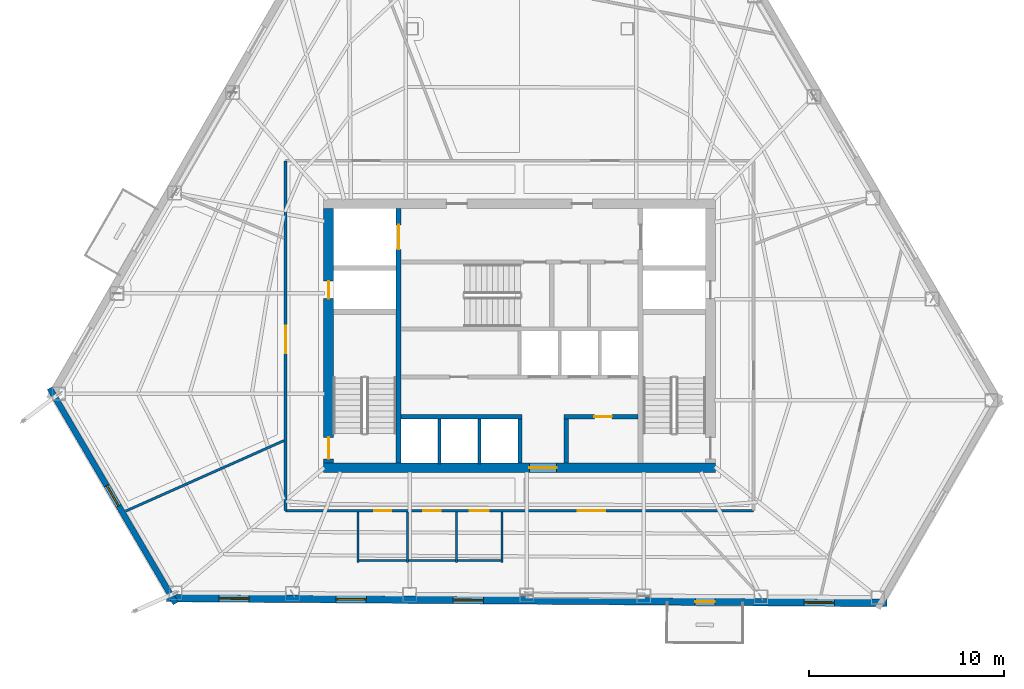
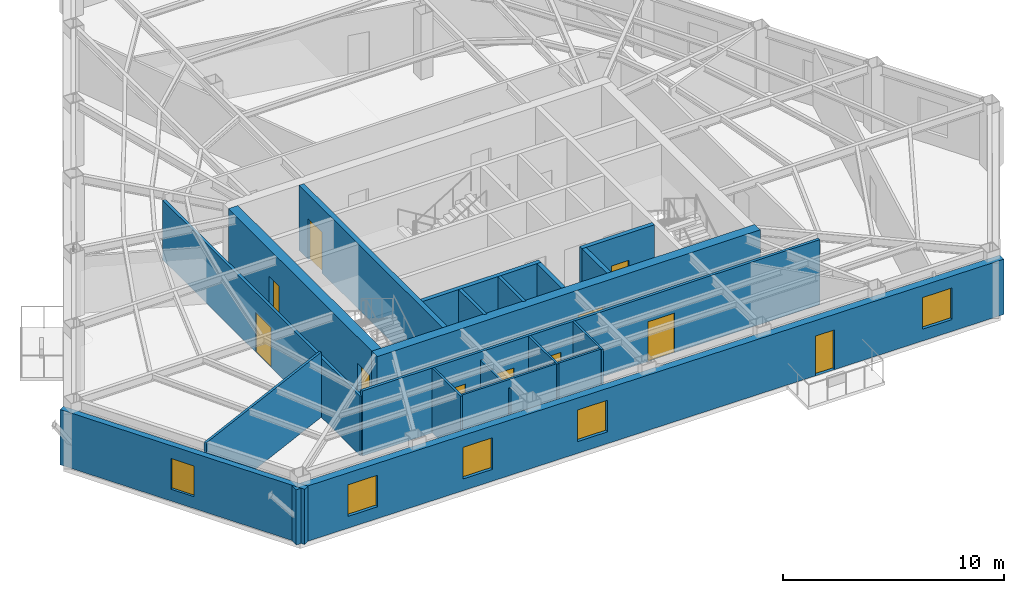
# One storey, part 8 of 12: 19 walls, 11 doors, 5 windows, 16 openings.
"""IFC4 building model written with IfcOpenShell, lengths in metres."""

from ifc_helpers import new_model, si_unit, direction, frame, frame_2d, origin, place, context, subcontext, project, spatial, rectangle, extrude, material, layer, layer_set, type_object, element, fill, save


model = new_model("IFC4")

# Units and contexts
model_context = context("Model", 3, precision=1e-05, world=origin(), true_north=direction((0.0, 1.0)))
body_context = subcontext(model_context, "Body", "Model", "MODEL_VIEW")
ifc_project = project(units=[si_unit("LENGTHUNIT", "METRE"), si_unit("AREAUNIT", "SQUARE_METRE"), si_unit("VOLUMEUNIT", "CUBIC_METRE"), si_unit("PLANEANGLEUNIT", "RADIAN"), si_unit("MASSUNIT", "GRAM", prefix="KILO")], contexts=[model_context])

# Site, building, storey
site_placement = place(None, origin())
site = spatial("IfcSite", under=ifc_project, at=site_placement, CompositionType="ELEMENT")
building_placement = place(site_placement, origin())
building = spatial("IfcBuilding", under=site, at=building_placement, Name="Kavelnor Concourse Tower", CompositionType="ELEMENT")
storey_placement = place(building_placement, frame((0.0, 0.0, 120.14990234375)))
storey = spatial("IfcBuildingStorey", under=building, at=storey_placement, Name="L30", CompositionType="ELEMENT", Elevation=120.14990234375)

# Wall, opening, door
ifc_material_1 = material(Name="Concrete C60/75", Category="concrete")
ifc_layer_1 = layer(ifc_material_1, 0.5, Name="Concrete C60/75")
ifc_layer_set_1 = layer_set([ifc_layer_1], Name="Concrete C60/75")
wall_type_1 = type_object("IfcWallType", Name="WL-CORE-Z2-500", PredefinedType="SOLIDWALL", material=ifc_layer_set_1)
wall_1_placement = place(storey_placement, frame((27.97998046875, 9.35009765625, 0.0), z_axis=(0.0, 0.0, 1.0), x_axis=(1.0, 0.0, 0.0)))
wall_1 = element("IfcWall", 1, at=wall_1_placement, inside=storey, type_object=wall_type_1, Name="L30 Central Core South Shear Wall", PredefinedType="SOLIDWALL", context=body_context, shape_type="SweptSolid", body=[
    extrude(rectangle(XDim=20.0400390625, YDim=0.5, at=frame_2d((10.02001953125, 0.0))), origin(), (0.0, 0.0, 1.0), 3.60009765625),
])
opening_1_placement = place(wall_1_placement, frame((10.52001953125, 0.0, 0.0)))
opening_1 = element("IfcOpeningElement", 2, at=opening_1_placement, cuts=wall_1, Name="Opening SD-140", PredefinedType="OPENING", context=body_context, shape_type="SweptSolid", body=[
    extrude(rectangle(XDim=1.39990234375, YDim=2.199951171875, at=frame_2d((0.699951171875, 1.10009765625))), frame((0.0, 0.260009765625, 0.0), z_axis=(0.0, -1.0, 0.0), x_axis=(1.0, 0.0, 0.0)), (0.0, 0.0, 1.0), 0.52001953125),
])
ifc_material_2 = material(Name="Solid-core hardwood timber", Category="wood")
door_type_1 = type_object("IfcDoorType", Name="DR-SUITE-ENTRY-1400", OperationType="NOTDEFINED", PredefinedType="DOOR", material=ifc_material_2)
door_1_placement = place(opening_1_placement, origin())
door_1 = element("IfcDoor", 3, at=door_1_placement, inside=storey, type_object=door_type_1, Name="L30 Passenger Lift Lobby Entry Door", OperationType="SINGLE_SWING_LEFT", OverallHeight=2.199951171875, OverallWidth=1.39990234375, PredefinedType="DOOR", context=body_context, shape_type="SweptSolid", body=[
    extrude(rectangle(XDim=1.39990234375, YDim=2.199951171875, at=frame_2d((0.699951171875, 1.10009765625))), frame((0.0, 0.02490234375, 0.0), z_axis=(0.0, -1.0, 0.0), x_axis=(1.0, 0.0, 0.0)), (0.0, 0.0, 1.0), 0.050048828125),
])
fill(opening_1, door_1)

# Wall, openings, doors
wall_2_placement = place(storey_placement, frame((28.22998046875, 9.60009765625, 0.0), z_axis=(0.0, 0.0, 1.0), x_axis=(0.0, 1.0, 0.0)))
wall_2 = element("IfcWall", 4, at=wall_2_placement, inside=storey, type_object=wall_type_1, Name="L30 Central Core West Shear Wall", PredefinedType="SOLIDWALL", context=body_context, shape_type="SweptSolid", body=[
    extrude(rectangle(XDim=13.0, YDim=0.5, at=frame_2d((6.5, 0.0))), origin(), (0.0, 0.0, 1.0), 3.60009765625),
])
opening_2_placement = place(wall_2_placement, frame((0.199951171875, 0.0, 0.0)))
opening_2 = element("IfcOpeningElement", 5, at=opening_2_placement, cuts=wall_2, Name="Opening FD-110", PredefinedType="OPENING", context=body_context, shape_type="SweptSolid", body=[
    extrude(rectangle(XDim=1.10009765625, YDim=2.14990234375, at=frame_2d((0.550048828125, 1.074951171875))), frame((0.0, 0.260009765625, 0.0), z_axis=(0.0, -1.0, 0.0), x_axis=(1.0, 0.0, 0.0)), (0.0, 0.0, 1.0), 0.52001953125),
])
opening_3_placement = place(wall_2_placement, frame((8.39990234375, 0.0, 0.0)))
opening_3 = element("IfcOpeningElement", 6, at=opening_3_placement, cuts=wall_2, Name="Opening FD-090", PredefinedType="OPENING", context=body_context, shape_type="SweptSolid", body=[
    extrude(rectangle(XDim=0.89990234375, YDim=2.10009765625, at=frame_2d((0.449951171875, 1.050048828125))), frame((0.0, 0.260009765625, 0.0), z_axis=(0.0, -1.0, 0.0), x_axis=(1.0, 0.0, 0.0)), (0.0, 0.0, 1.0), 0.52001953125),
])
ifc_material_3 = material(Name="Steel Grade 350", Category="steel")
door_type_2 = type_object("IfcDoorType", Name="DR-RISER-FIRE-900", OperationType="NOTDEFINED", PredefinedType="DOOR", material=ifc_material_3)
door_2_placement = place(opening_3_placement, origin())
door_2 = element("IfcDoor", 7, at=door_2_placement, inside=storey, type_object=door_type_2, Name="L30 West Riser Access Door", OperationType="SINGLE_SWING_RIGHT", OverallHeight=2.10009765625, OverallWidth=0.89990234375, PredefinedType="DOOR", context=body_context, shape_type="SweptSolid", body=[
    extrude(rectangle(XDim=0.89990234375, YDim=2.10009765625, at=frame_2d((0.449951171875, 1.050048828125))), frame((0.0, 0.02490234375, 0.0), z_axis=(0.0, -1.0, 0.0), x_axis=(1.0, 0.0, 0.0)), (0.0, 0.0, 1.0), 0.050048828125),
])
fill(opening_3, door_2)
door_type_3 = type_object("IfcDoorType", Name="DR-STAIR-FIRE-1100", OperationType="NOTDEFINED", PredefinedType="DOOR", material=ifc_material_3)
door_3_placement = place(opening_2_placement, origin())
door_3 = element("IfcDoor", 8, at=door_3_placement, inside=storey, type_object=door_type_3, Name="L30 Stair ST1 Fire Door", OperationType="SINGLE_SWING_LEFT", OverallHeight=2.14990234375, OverallWidth=1.10009765625, PredefinedType="DOOR", context=body_context, shape_type="SweptSolid", body=[
    extrude(rectangle(XDim=1.10009765625, YDim=2.14990234375, at=frame_2d((0.550048828125, 1.074951171875))), frame((0.0, 0.02490234375, 0.0), z_axis=(0.0, -1.0, 0.0), x_axis=(1.0, 0.0, 0.0)), (0.0, 0.0, 1.0), 0.050048828125),
])
fill(opening_2, door_3)

# Wall, opening, window
ifc_material_4 = material(Name="Buff ironspot clay face brick masonry", Category="masonry")
ifc_layer_2 = layer(ifc_material_4, 0.300048828125, Name="Buff ironspot clay face brick masonry")
ifc_layer_set_2 = layer_set([ifc_layer_2], Name="Buff ironspot clay face brick masonry")
wall_type_2 = type_object("IfcWallType", Name="WL-EXT-BUFF-BRICK-FOLD-300", PredefinedType="STANDARD", material=ifc_layer_set_2)
wall_3_placement = place(storey_placement, frame((20.406982421875, 2.406494140625, 0.0), z_axis=(0.0, 0.0, 1.0), x_axis=(-0.505148604042, 0.863032379366, 0.0)))
wall_3 = element("IfcWall", 9, at=wall_3_placement, inside=storey, type_object=wall_type_2, Name="L30 Exterior Brick Facade Wall E2", PredefinedType="STANDARD", context=body_context, shape_type="SweptSolid", body=[
    extrude(rectangle(XDim=12.75537109375, YDim=0.300048828125, at=frame_2d((6.377685546875, 0.0))), origin(), (0.0, 0.0, 1.0), 3.05908203125),
])
opening_4_placement = place(wall_3_placement, frame((5.777587890625, 0.0, 0.64990234375)))
opening_4 = element("IfcOpeningElement", 10, at=opening_4_placement, cuts=wall_3, Name="Opening W-05", PredefinedType="OPENING", context=body_context, shape_type="SweptSolid", body=[
    extrude(rectangle(XDim=1.199951171875, YDim=1.699951171875, at=frame_2d((0.60009765625, 0.85009765625))), frame((0.0, 0.16015625, 0.0), z_axis=(0.0, -1.0, 0.0), x_axis=(1.0, 0.0, 0.0)), (0.0, 0.0, 1.0), 0.320068359375),
])
ifc_material_5 = material(Name="Double low-E argon insulated glazing", Category="glass")
window_type_1 = type_object("IfcWindowType", Name="WIN-FOLD-1200", PartitioningType="SINGLE_PANEL", PredefinedType="WINDOW", material=ifc_material_5)
window_1_placement = place(opening_4_placement, origin())
window_1 = element("IfcWindow", 11, at=window_1_placement, inside=storey, type_object=window_type_1, Name="L30 Chamfer-Fold Facet Window C1", OverallHeight=1.699951171875, OverallWidth=1.199951171875, PartitioningType="SINGLE_PANEL", PredefinedType="WINDOW", context=body_context, shape_type="SweptSolid", body=[
    extrude(rectangle(XDim=1.199951171875, YDim=1.699951171875, at=frame_2d((0.60009765625, 0.85009765625))), frame((0.0, 0.030029296875, 0.0), z_axis=(0.0, -1.0, 0.0), x_axis=(1.0, 0.0, 0.0)), (0.0, 0.0, 1.0), 0.06005859375),
])
fill(opening_4, window_1)

# Wall, openings, door, windows
ifc_material_6 = material(Name="Red-ochre clay face brick masonry", Category="masonry")
ifc_layer_3 = layer(ifc_material_6, 0.3798828125, Name="Red-ochre clay face brick masonry")
ifc_layer_set_3 = layer_set([ifc_layer_3], Name="Red-ochre clay face brick masonry")
wall_type_3 = type_object("IfcWallType", Name="WL-EXT-RED-BRICK-PIER-380", PredefinedType="STANDARD", material=ifc_layer_set_3)
wall_4_placement = place(storey_placement, frame((56.811767578125, 2.428466796875, 0.0), z_axis=(0.0, 0.0, 1.0), x_axis=(-0.999975943084, 0.006936371743, 0.0)))
wall_4 = element("IfcWall", 12, at=wall_4_placement, inside=storey, type_object=wall_type_3, Name="L30 Exterior Brick Facade Wall E3", PredefinedType="STANDARD", context=body_context, shape_type="SweptSolid", body=[
    extrude(rectangle(XDim=36.88671875, YDim=0.3798828125, at=frame_2d((18.443359375, 0.0))), origin(), (0.0, 0.0, 1.0), 3.05908203125),
])
opening_5_placement = place(wall_4_placement, frame((8.82177734375, 0.0, 0.0)))
opening_5 = element("IfcOpeningElement", 13, at=opening_5_placement, cuts=wall_4, Name="Opening BD-100", PredefinedType="OPENING", context=body_context, shape_type="SweptSolid", body=[
    extrude(rectangle(XDim=1.0, YDim=2.199951171875, at=frame_2d((0.5, 1.10009765625))), frame((0.0, 0.199951171875, 0.0), z_axis=(0.0, -1.0, 0.0), x_axis=(1.0, 0.0, 0.0)), (0.0, 0.0, 1.0), 0.39990234375),
])
opening_6_placement = place(wall_4_placement, frame((32.644287109375, 0.0, 0.64990234375)))
opening_6 = element("IfcOpeningElement", 14, at=opening_6_placement, cuts=wall_4, Name="Opening W-02", PredefinedType="OPENING", context=body_context, shape_type="SweptSolid", body=[
    extrude(rectangle(XDim=1.550048828125, YDim=1.75, at=frame_2d((0.77490234375, 0.875))), frame((0.0, 0.199951171875, 0.0), z_axis=(0.0, -1.0, 0.0), x_axis=(1.0, 0.0, 0.0)), (0.0, 0.0, 1.0), 0.39990234375),
])
opening_7_placement = place(wall_4_placement, frame((26.6552734375, 0.0, 0.64990234375)))
opening_7 = element("IfcOpeningElement", 15, at=opening_7_placement, cuts=wall_4, Name="Opening W-02", PredefinedType="OPENING", context=body_context, shape_type="SweptSolid", body=[
    extrude(rectangle(XDim=1.550048828125, YDim=1.75, at=frame_2d((0.77490234375, 0.875))), frame((0.0, 0.199951171875, 0.0), z_axis=(0.0, -1.0, 0.0), x_axis=(1.0, 0.0, 0.0)), (0.0, 0.0, 1.0), 0.39990234375),
])
opening_8_placement = place(wall_4_placement, frame((20.666015625, 0.0, 0.64990234375)))
opening_8 = element("IfcOpeningElement", 16, at=opening_8_placement, cuts=wall_4, Name="Opening W-02", PredefinedType="OPENING", context=body_context, shape_type="SweptSolid", body=[
    extrude(rectangle(XDim=1.550048828125, YDim=1.75, at=frame_2d((0.77490234375, 0.875))), frame((0.0, 0.199951171875, 0.0), z_axis=(0.0, -1.0, 0.0), x_axis=(1.0, 0.0, 0.0)), (0.0, 0.0, 1.0), 0.39990234375),
])
opening_9_placement = place(wall_4_placement, frame((2.69921875, 0.0, 0.64990234375)))
opening_9 = element("IfcOpeningElement", 17, at=opening_9_placement, cuts=wall_4, Name="Opening W-02", PredefinedType="OPENING", context=body_context, shape_type="SweptSolid", body=[
    extrude(rectangle(XDim=1.550048828125, YDim=1.75, at=frame_2d((0.77490234375, 0.875))), frame((0.0, 0.199951171875, 0.0), z_axis=(0.0, -1.0, 0.0), x_axis=(1.0, 0.0, 0.0)), (0.0, 0.0, 1.0), 0.39990234375),
])
ifc_material_7 = material(Name="Anodised aluminium 6063-T6", Category="aluminium")
door_type_4 = type_object("IfcDoorType", Name="DR-BALCONY-EXT-1000", OperationType="NOTDEFINED", PredefinedType="DOOR", material=ifc_material_7)
door_4_placement = place(opening_5_placement, origin())
door_4 = element("IfcDoor", 18, at=door_4_placement, inside=storey, type_object=door_type_4, Name="L30 Tree Balcony 2 Glazed Door", OperationType="SINGLE_SWING_RIGHT", OverallHeight=2.199951171875, OverallWidth=1.0, PredefinedType="DOOR", context=body_context, shape_type="SweptSolid", body=[
    extrude(rectangle(XDim=1.0, YDim=2.199951171875, at=frame_2d((0.5, 1.10009765625))), frame((0.0, 0.02490234375, 0.0), z_axis=(0.0, -1.0, 0.0), x_axis=(1.0, 0.0, 0.0)), (0.0, 0.0, 1.0), 0.050048828125),
])
fill(opening_5, door_4)
window_type_2 = type_object("IfcWindowType", Name="WIN-PIER-Z2-1650", PartitioningType="SINGLE_PANEL", PredefinedType="WINDOW", material=ifc_material_5)
window_2_placement = place(opening_6_placement, origin())
window_2 = element("IfcWindow", 19, at=window_2_placement, inside=storey, type_object=window_type_2, Name="L30 Deep-Set Brick Pier Window F1-B0", OverallHeight=1.75, OverallWidth=1.550048828125, PartitioningType="SINGLE_PANEL", PredefinedType="WINDOW", context=body_context, shape_type="SweptSolid", body=[
    extrude(rectangle(XDim=1.550048828125, YDim=1.75, at=frame_2d((0.77490234375, 0.875))), frame((0.0, 0.030029296875, 0.0), z_axis=(0.0, -1.0, 0.0), x_axis=(1.0, 0.0, 0.0)), (0.0, 0.0, 1.0), 0.06005859375),
])
fill(opening_6, window_2)
window_3_placement = place(opening_7_placement, origin())
window_3 = element("IfcWindow", 20, at=window_3_placement, inside=storey, type_object=window_type_2, Name="L30 Deep-Set Brick Pier Window F1-B1", OverallHeight=1.75, OverallWidth=1.550048828125, PartitioningType="SINGLE_PANEL", PredefinedType="WINDOW", context=body_context, shape_type="SweptSolid", body=[
    extrude(rectangle(XDim=1.550048828125, YDim=1.75, at=frame_2d((0.77490234375, 0.875))), frame((0.0, 0.030029296875, 0.0), z_axis=(0.0, -1.0, 0.0), x_axis=(1.0, 0.0, 0.0)), (0.0, 0.0, 1.0), 0.06005859375),
])
fill(opening_7, window_3)
window_4_placement = place(opening_8_placement, origin())
window_4 = element("IfcWindow", 21, at=window_4_placement, inside=storey, type_object=window_type_2, Name="L30 Deep-Set Brick Pier Window F1-B2", OverallHeight=1.75, OverallWidth=1.550048828125, PartitioningType="SINGLE_PANEL", PredefinedType="WINDOW", context=body_context, shape_type="SweptSolid", body=[
    extrude(rectangle(XDim=1.550048828125, YDim=1.75, at=frame_2d((0.77490234375, 0.875))), frame((0.0, 0.030029296875, 0.0), z_axis=(0.0, -1.0, 0.0), x_axis=(1.0, 0.0, 0.0)), (0.0, 0.0, 1.0), 0.06005859375),
])
fill(opening_8, window_4)
window_5_placement = place(opening_9_placement, origin())
window_5 = element("IfcWindow", 22, at=window_5_placement, inside=storey, type_object=window_type_2, Name="L30 Deep-Set Brick Pier Window F1-B5", OverallHeight=1.75, OverallWidth=1.550048828125, PartitioningType="SINGLE_PANEL", PredefinedType="WINDOW", context=body_context, shape_type="SweptSolid", body=[
    extrude(rectangle(XDim=1.550048828125, YDim=1.75, at=frame_2d((0.77490234375, 0.875))), frame((0.0, 0.030029296875, 0.0), z_axis=(0.0, -1.0, 0.0), x_axis=(1.0, 0.0, 0.0)), (0.0, 0.0, 1.0), 0.06005859375),
])
fill(opening_9, window_5)

# Wall, opening, door
ifc_material_8 = material(Name="Gypsum plasterboard on light-gauge steel studs", Category="steel")
ifc_layer_4 = layer(ifc_material_8, 0.14501953125, Name="Gypsum plasterboard on light-gauge steel studs")
ifc_layer_set_4 = layer_set([ifc_layer_4], Name="Gypsum plasterboard on light-gauge steel studs")
wall_type_4 = type_object("IfcWallType", Name="WL-INT-CORR-145", PredefinedType="PARTITIONING", material=ifc_layer_set_4)
wall_5_placement = place(storey_placement, frame((26.030029296875, 25.050048828125, 0.0), z_axis=(0.0, 0.0, 1.0), x_axis=(0.0, -1.0, 0.0)))
wall_5 = element("IfcWall", 23, at=wall_5_placement, inside=storey, type_object=wall_type_4, Name="L30 Corridor Wall WL-L30-CR-03", PredefinedType="PARTITIONING", context=body_context, shape_type="SweptSolid", body=[
    extrude(rectangle(XDim=17.900146484375, YDim=0.14501953125, at=frame_2d((8.9501953125, 0.0))), origin(), (0.0, 0.0, 1.0), 3.2880859375),
])
opening_10_placement = place(wall_5_placement, frame((8.437744140625, 0.0, 0.0)))
opening_10 = element("IfcOpeningElement", 24, at=opening_10_placement, cuts=wall_5, Name="Opening SD-140", PredefinedType="OPENING", context=body_context, shape_type="SweptSolid", body=[
    extrude(rectangle(XDim=1.39990234375, YDim=2.199951171875, at=frame_2d((0.699951171875, 1.10009765625))), frame((0.0, 0.08251953125, 0.0), z_axis=(0.0, -1.0, 0.0), x_axis=(1.0, 0.0, 0.0)), (0.0, 0.0, 1.0), 0.1650390625),
])
door_5_placement = place(opening_10_placement, origin())
door_5 = element("IfcDoor", 25, at=door_5_placement, inside=storey, type_object=door_type_1, Name="L30 Staff Breakout Pantry 04 Door", OperationType="SINGLE_SWING_LEFT", OverallHeight=2.199951171875, OverallWidth=1.39990234375, PredefinedType="DOOR", context=body_context, shape_type="SweptSolid", body=[
    extrude(rectangle(XDim=1.39990234375, YDim=2.199951171875, at=frame_2d((0.699951171875, 1.10009765625))), frame((0.0, 0.02490234375, 0.0), z_axis=(0.0, -1.0, 0.0), x_axis=(1.0, 0.0, 0.0)), (0.0, 0.0, 1.0), 0.050048828125),
])
fill(opening_10, door_5)

# Wall, openings, doors
wall_6_placement = place(storey_placement, frame((26.030029296875, 7.14990234375, 0.0), z_axis=(0.0, 0.0, 1.0), x_axis=(1.0, 0.0, 0.0)))
wall_6 = element("IfcWall", 26, at=wall_6_placement, inside=storey, type_object=wall_type_4, Name="L30 Corridor Wall WL-L30-CR-04", PredefinedType="PARTITIONING", context=body_context, shape_type="SweptSolid", body=[
    extrude(rectangle(XDim=23.93994140625, YDim=0.14501953125, at=frame_2d((11.969970703125, 0.0))), origin(), (0.0, 0.0, 1.0), 3.60009765625),
])
opening_11_placement = place(wall_6_placement, frame((4.530029296875, 0.0, 0.0)))
opening_11 = element("IfcOpeningElement", 27, at=opening_11_placement, cuts=wall_6, Name="Opening WD-088", PredefinedType="OPENING", context=body_context, shape_type="SweptSolid", body=[
    extrude(rectangle(XDim=0.8798828125, YDim=2.10009765625, at=frame_2d((0.43994140625, 1.050048828125))), frame((0.0, 0.08251953125, 0.0), z_axis=(0.0, -1.0, 0.0), x_axis=(1.0, 0.0, 0.0)), (0.0, 0.0, 1.0), 0.1650390625),
])
opening_12_placement = place(wall_6_placement, frame((7.050048828125, 0.0, 0.0)))
opening_12 = element("IfcOpeningElement", 28, at=opening_12_placement, cuts=wall_6, Name="Opening WD-088", PredefinedType="OPENING", context=body_context, shape_type="SweptSolid", body=[
    extrude(rectangle(XDim=0.8798828125, YDim=2.10009765625, at=frame_2d((0.43994140625, 1.050048828125))), frame((0.0, 0.08251953125, 0.0), z_axis=(0.0, -1.0, 0.0), x_axis=(1.0, 0.0, 0.0)), (0.0, 0.0, 1.0), 0.1650390625),
])
opening_13_placement = place(wall_6_placement, frame((9.429931640625, 0.0, 0.0)))
opening_13 = element("IfcOpeningElement", 29, at=opening_13_placement, cuts=wall_6, Name="Opening WD-096", PredefinedType="OPENING", context=body_context, shape_type="SweptSolid", body=[
    extrude(rectangle(XDim=0.9599609375, YDim=2.10009765625, at=frame_2d((0.47998046875, 1.050048828125))), frame((0.0, 0.08251953125, 0.0), z_axis=(0.0, -1.0, 0.0), x_axis=(1.0, 0.0, 0.0)), (0.0, 0.0, 1.0), 0.1650390625),
])
opening_14_placement = place(wall_6_placement, frame((14.9462890625, 0.0, 0.0)))
opening_14 = element("IfcOpeningElement", 30, at=opening_14_placement, cuts=wall_6, Name="Opening SD-140", PredefinedType="OPENING", context=body_context, shape_type="SweptSolid", body=[
    extrude(rectangle(XDim=1.39990234375, YDim=2.199951171875, at=frame_2d((0.699951171875, 1.10009765625))), frame((0.0, 0.08251953125, 0.0), z_axis=(0.0, -1.0, 0.0), x_axis=(1.0, 0.0, 0.0)), (0.0, 0.0, 1.0), 0.1650390625),
])
door_6_placement = place(opening_14_placement, origin())
door_6 = element("IfcDoor", 31, at=door_6_placement, inside=storey, type_object=door_type_1, Name="L30 Staff Breakout Pantry 05 Door", OperationType="SINGLE_SWING_RIGHT", OverallHeight=2.199951171875, OverallWidth=1.39990234375, PredefinedType="DOOR", context=body_context, shape_type="SweptSolid", body=[
    extrude(rectangle(XDim=1.39990234375, YDim=2.199951171875, at=frame_2d((0.699951171875, 1.10009765625))), frame((0.0, 0.02490234375, 0.0), z_axis=(0.0, -1.0, 0.0), x_axis=(1.0, 0.0, 0.0)), (0.0, 0.0, 1.0), 0.050048828125),
])
fill(opening_14, door_6)
door_type_5 = type_object("IfcDoorType", Name="DR-WC-ACC-960", OperationType="NOTDEFINED", PredefinedType="DOOR", material=ifc_material_2)
door_7_placement = place(opening_13_placement, origin())
door_7 = element("IfcDoor", 32, at=door_7_placement, inside=storey, type_object=door_type_5, Name="L30 Accessible WC Door", OperationType="SINGLE_SWING_LEFT", OverallHeight=2.10009765625, OverallWidth=0.9599609375, PredefinedType="DOOR", context=body_context, shape_type="SweptSolid", body=[
    extrude(rectangle(XDim=0.9599609375, YDim=2.10009765625, at=frame_2d((0.47998046875, 1.050048828125))), frame((0.0, 0.02490234375, 0.0), z_axis=(0.0, -1.0, 0.0), x_axis=(1.0, 0.0, 0.0)), (0.0, 0.0, 1.0), 0.050048828125),
])
fill(opening_13, door_7)
door_type_6 = type_object("IfcDoorType", Name="DR-WC-STD-880", OperationType="NOTDEFINED", PredefinedType="DOOR", material=ifc_material_2)
door_8_placement = place(opening_11_placement, origin())
door_8 = element("IfcDoor", 33, at=door_8_placement, inside=storey, type_object=door_type_6, Name="L30 Male WC Door", OperationType="SINGLE_SWING_LEFT", OverallHeight=2.10009765625, OverallWidth=0.8798828125, PredefinedType="DOOR", context=body_context, shape_type="SweptSolid", body=[
    extrude(rectangle(XDim=0.8798828125, YDim=2.10009765625, at=frame_2d((0.43994140625, 1.050048828125))), frame((0.0, 0.02490234375, 0.0), z_axis=(0.0, -1.0, 0.0), x_axis=(1.0, 0.0, 0.0)), (0.0, 0.0, 1.0), 0.050048828125),
])
fill(opening_11, door_8)
door_9_placement = place(opening_12_placement, origin())
door_9 = element("IfcDoor", 34, at=door_9_placement, inside=storey, type_object=door_type_6, Name="L30 Female WC Door", OperationType="SINGLE_SWING_RIGHT", OverallHeight=2.10009765625, OverallWidth=0.8798828125, PredefinedType="DOOR", context=body_context, shape_type="SweptSolid", body=[
    extrude(rectangle(XDim=0.8798828125, YDim=2.10009765625, at=frame_2d((0.43994140625, 1.050048828125))), frame((0.0, 0.02490234375, 0.0), z_axis=(0.0, -1.0, 0.0), x_axis=(1.0, 0.0, 0.0)), (0.0, 0.0, 1.0), 0.050048828125),
])
fill(opening_12, door_9)

# Walls
ifc_layer_5 = layer(ifc_material_8, 0.1650390625, Name="Gypsum plasterboard on light-gauge steel studs")
ifc_layer_set_5 = layer_set([ifc_layer_5], Name="Gypsum plasterboard on light-gauge steel studs")
wall_type_5 = type_object("IfcWallType", Name="WL-INT-FIRE-165", PredefinedType="PARTITIONING", material=ifc_layer_set_5)
for number, where, z_axis, x_axis, name in (
    (35, (33.89990234375, 9.550048828125, 0.0), (0.0, 0.0, 1.0), (0.0, 1.0, 0.0), "L30 Lift Shaft Divider LP7"),
    (36, (35.949951171875, 9.550048828125, 0.0), (0.0, 0.0, 1.0), (0.0, 1.0, 0.0), "L30 Lift Shaft Divider LP8"),
):
    element("IfcWall", number, at=place(storey_placement, frame(where, z_axis=z_axis, x_axis=x_axis)), inside=storey, type_object=wall_type_5, Name=name, PredefinedType="PARTITIONING", context=body_context, shape_type="SweptSolid", body=[
        extrude(rectangle(XDim=2.2900390625, YDim=0.1650390625, at=frame_2d((1.14501953125, 0.0))), origin(), (0.0, 0.0, 1.0), 3.60009765625),
    ])
ifc_layer_6 = layer(ifc_material_8, 0.125, Name="Gypsum plasterboard on light-gauge steel studs")
ifc_layer_set_6 = layer_set([ifc_layer_6], Name="Gypsum plasterboard on light-gauge steel studs")
wall_type_6 = type_object("IfcWallType", Name="WL-INT-SUITE-125", PredefinedType="PARTITIONING", material=ifc_layer_set_6)
wall_7_placement = place(storey_placement, frame((25.949462890625, 10.73486328125, 0.0), z_axis=(0.0, 0.0, 1.0), x_axis=(-0.913542336497, -0.406743653211, 0.0)))
element("IfcWall", 37, at=wall_7_placement, inside=storey, type_object=wall_type_6, Name="L30 Radial Suite Partition 04", PredefinedType="PARTITIONING", context=body_context, shape_type="SweptSolid", body=[
    extrude(rectangle(XDim=8.86962890625, YDim=0.125, at=frame_2d((4.434814453125, 0.0))), origin(), (0.0, 0.0, 1.0), 3.60009765625),
])
ifc_layer_7 = layer(ifc_material_8, 0.110107421875, Name="Gypsum plasterboard on light-gauge steel studs")
ifc_layer_set_7 = layer_set([ifc_layer_7], Name="Gypsum plasterboard on light-gauge steel studs")
wall_type_7 = type_object("IfcWallType", Name="WL-INT-WC-110", PredefinedType="PLUMBINGWALL", material=ifc_layer_set_7)
wall_8_placement = place(storey_placement, frame((29.739990234375, 4.5, 0.0), z_axis=(0.0, 0.0, 1.0), x_axis=(0.0, 1.0, 0.0)))
element("IfcWall", 38, at=wall_8_placement, inside=storey, type_object=wall_type_7, Name="L30 Sanitary Partition WL-L30-WC-W", PredefinedType="PLUMBINGWALL", context=body_context, shape_type="SweptSolid", body=[
    extrude(rectangle(XDim=2.580078125, YDim=0.110107421875, at=frame_2d((1.2900390625, 0.0))), origin(), (0.0, 0.0, 1.0), 3.60009765625),
])
wall_9_placement = place(storey_placement, frame((32.260009765625, 4.5, 0.0), z_axis=(0.0, 0.0, 1.0), x_axis=(0.0, 1.0, 0.0)))
element("IfcWall", 39, at=wall_9_placement, inside=storey, type_object=wall_type_7, Name="L30 Sanitary Partition WL-L30-WC-D1", PredefinedType="PLUMBINGWALL", context=body_context, shape_type="SweptSolid", body=[
    extrude(rectangle(XDim=2.580078125, YDim=0.110107421875, at=frame_2d((1.2900390625, 0.0))), origin(), (0.0, 0.0, 1.0), 3.14111328125),
])
for number, where, z_axis, x_axis, name in (
    (40, (34.780029296875, 4.5, 0.0), (0.0, 0.0, 1.0), (0.0, 1.0, 0.0), "L30 Sanitary Partition WL-L30-WC-D2"),
    (41, (37.10009765625, 4.5, 0.0), (0.0, 0.0, 1.0), (0.0, 1.0, 0.0), "L30 Sanitary Partition WL-L30-WC-E"),
):
    element("IfcWall", number, at=place(storey_placement, frame(where, z_axis=z_axis, x_axis=x_axis)), inside=storey, type_object=wall_type_7, Name=name, PredefinedType="PLUMBINGWALL", context=body_context, shape_type="SweptSolid", body=[
        extrude(rectangle(XDim=2.580078125, YDim=0.110107421875, at=frame_2d((1.2900390625, 0.0))), origin(), (0.0, 0.0, 1.0), 3.60009765625),
    ])
wall_10_placement = place(storey_placement, frame((29.68994140625, 4.60009765625, 0.0), z_axis=(0.0, 0.0, 1.0), x_axis=(1.0, 0.0, 0.0)))
element("IfcWall", 42, at=wall_10_placement, inside=storey, type_object=wall_type_7, Name="L30 Sanitary Partition WL-L30-WC-S", PredefinedType="PLUMBINGWALL", context=body_context, shape_type="SweptSolid", body=[
    extrude(rectangle(XDim=7.4599609375, YDim=0.110107421875, at=frame_2d((3.72998046875, 0.0))), origin(), (0.0, 0.0, 1.0), 3.60009765625),
])
ifc_material_9 = material(Name="Concrete C50/60", Category="concrete")
ifc_layer_8 = layer(ifc_material_9, 0.219970703125, Name="Concrete C50/60")
ifc_layer_set_8 = layer_set([ifc_layer_8], Name="Concrete C50/60")
wall_type_8 = type_object("IfcWallType", Name="WL-SHAFT-220", PredefinedType="SOLIDWALL", material=ifc_layer_set_8)
wall_11_placement = place(storey_placement, frame((31.93994140625, 11.949951171875, 0.0), z_axis=(0.0, 0.0, 1.0), x_axis=(1.0, 0.0, 0.0)))
element("IfcWall", 43, at=wall_11_placement, inside=storey, type_object=wall_type_8, Name="L30 High-Rise Lift Bank North Wall", PredefinedType="SOLIDWALL", context=body_context, shape_type="SweptSolid", body=[
    extrude(rectangle(XDim=6.18994140625, YDim=0.219970703125, at=frame_2d((3.094970703125, 0.0))), origin(), (0.0, 0.0, 1.0), 3.60009765625),
])

# Wall, opening, door
wall_12_placement = place(storey_placement, frame((40.280029296875, 11.949951171875, 0.0), z_axis=(0.0, 0.0, 1.0), x_axis=(1.0, 0.0, 0.0)))
wall_12 = element("IfcWall", 44, at=wall_12_placement, inside=storey, type_object=wall_type_8, Name="L30 Core South Support North Wall", PredefinedType="SOLIDWALL", context=body_context, shape_type="SweptSolid", body=[
    extrude(rectangle(XDim=3.780029296875, YDim=0.219970703125, at=frame_2d((1.89013671875, 0.0))), origin(), (0.0, 0.0, 1.0), 3.60009765625),
])
opening_15_placement = place(wall_12_placement, frame((1.550048828125, 0.0, 0.0)))
opening_15 = element("IfcOpeningElement", 45, at=opening_15_placement, cuts=wall_12, Name="Opening FD-090", PredefinedType="OPENING", context=body_context, shape_type="SweptSolid", body=[
    extrude(rectangle(XDim=0.89990234375, YDim=2.10009765625, at=frame_2d((0.449951171875, 1.050048828125))), frame((0.0, 0.1201171875, 0.0), z_axis=(0.0, -1.0, 0.0), x_axis=(1.0, 0.0, 0.0)), (0.0, 0.0, 1.0), 0.239990234375),
])
door_10_placement = place(opening_15_placement, origin())
door_10 = element("IfcDoor", 46, at=door_10_placement, inside=storey, type_object=door_type_2, Name="L30 BMS Metering Door", OperationType="SINGLE_SWING_RIGHT", OverallHeight=2.10009765625, OverallWidth=0.89990234375, PredefinedType="DOOR", context=body_context, shape_type="SweptSolid", body=[
    extrude(rectangle(XDim=0.89990234375, YDim=2.10009765625, at=frame_2d((0.449951171875, 1.050048828125))), frame((0.0, 0.02490234375, 0.0), z_axis=(0.0, -1.0, 0.0), x_axis=(1.0, 0.0, 0.0)), (0.0, 0.0, 1.0), 0.050048828125),
])
fill(opening_15, door_10)

# Walls
for number, where, z_axis, x_axis, name in (
    (47, (38.02001953125, 9.60009765625, 0.0), (0.0, 0.0, 1.0), (0.0, 1.0, 0.0), "L30 Lift Lobby Throat West Wall"),
    (48, (40.389892578125, 9.60009765625, 0.0), (0.0, 0.0, 1.0), (0.0, 1.0, 0.0), "L30 Lift Lobby Throat East Wall"),
):
    element("IfcWall", number, at=place(storey_placement, frame(where, z_axis=z_axis, x_axis=x_axis)), inside=storey, type_object=wall_type_8, Name=name, PredefinedType="SOLIDWALL", context=body_context, shape_type="SweptSolid", body=[
        extrude(rectangle(XDim=2.239990234375, YDim=0.219970703125, at=frame_2d((1.1201171875, 0.0))), origin(), (0.0, 0.0, 1.0), 3.60009765625),
    ])

# Wall, opening, door
ifc_layer_9 = layer(ifc_material_9, 0.260009765625, Name="Concrete C50/60")
ifc_layer_set_9 = layer_set([ifc_layer_9], Name="Concrete C50/60")
wall_type_9 = type_object("IfcWallType", Name="WL-SHAFT-260", PredefinedType="SHEAR", material=ifc_layer_set_9)
wall_13_placement = place(storey_placement, frame((31.81005859375, 9.60009765625, 0.0), z_axis=(0.0, 0.0, 1.0), x_axis=(0.0, 1.0, 0.0)))
wall_13 = element("IfcWall", 49, at=wall_13_placement, inside=storey, type_object=wall_type_9, Name="L30 Core West Wing Shear Wall", PredefinedType="SHEAR", context=body_context, shape_type="SweptSolid", body=[
    extrude(rectangle(XDim=13.0, YDim=0.260009765625, at=frame_2d((6.5, 0.0))), origin(), (0.0, 0.0, 1.0), 3.60009765625),
])
opening_16_placement = place(wall_13_placement, frame((10.925048828125, 0.0, 0.0)))
opening_16 = element("IfcOpeningElement", 50, at=opening_16_placement, cuts=wall_13, Name="Opening LD-125", PredefinedType="OPENING", context=body_context, shape_type="SweptSolid", body=[
    extrude(rectangle(XDim=1.25, YDim=2.25, at=frame_2d((0.625, 1.125))), frame((0.0, 0.14013671875, 0.0), z_axis=(0.0, -1.0, 0.0), x_axis=(1.0, 0.0, 0.0)), (0.0, 0.0, 1.0), 0.280029296875),
])
door_type_7 = type_object("IfcDoorType", Name="DR-LIFT-SLIDING-1250", OperationType="NOTDEFINED", PredefinedType="DOOR", material=ifc_material_3)
door_11_placement = place(opening_16_placement, origin())
door_11 = element("IfcDoor", 51, at=door_11_placement, inside=storey, type_object=door_type_7, Name="L30 Emergency Lift FL1 Landing Door", OperationType="DOUBLE_DOOR_SLIDING", OverallHeight=2.25, OverallWidth=1.25, PredefinedType="DOOR", context=body_context, shape_type="SweptSolid", body=[
    extrude(rectangle(XDim=1.25, YDim=2.25, at=frame_2d((0.625, 1.125))), frame((0.0, 0.02490234375, 0.0), z_axis=(0.0, -1.0, 0.0), x_axis=(1.0, 0.0, 0.0)), (0.0, 0.0, 1.0), 0.050048828125),
])
fill(opening_16, door_11)

save(model, "model.ifc")
